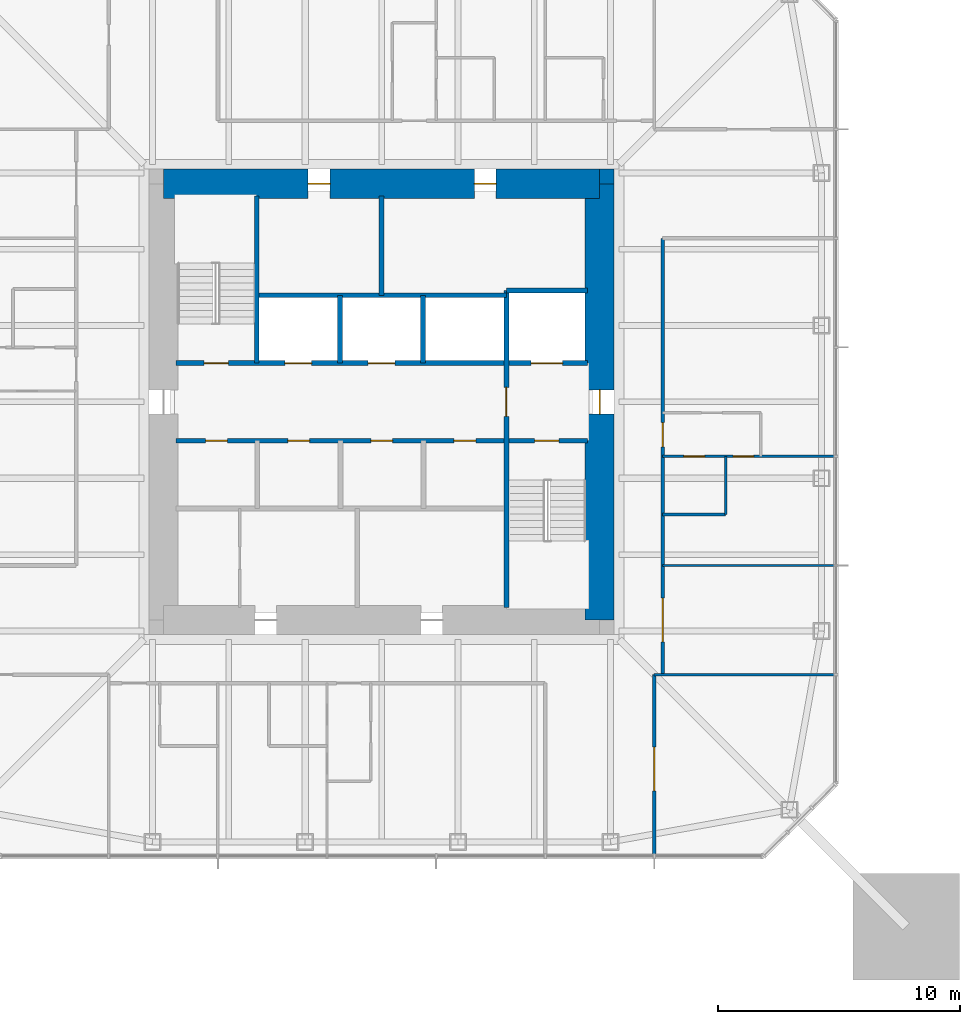
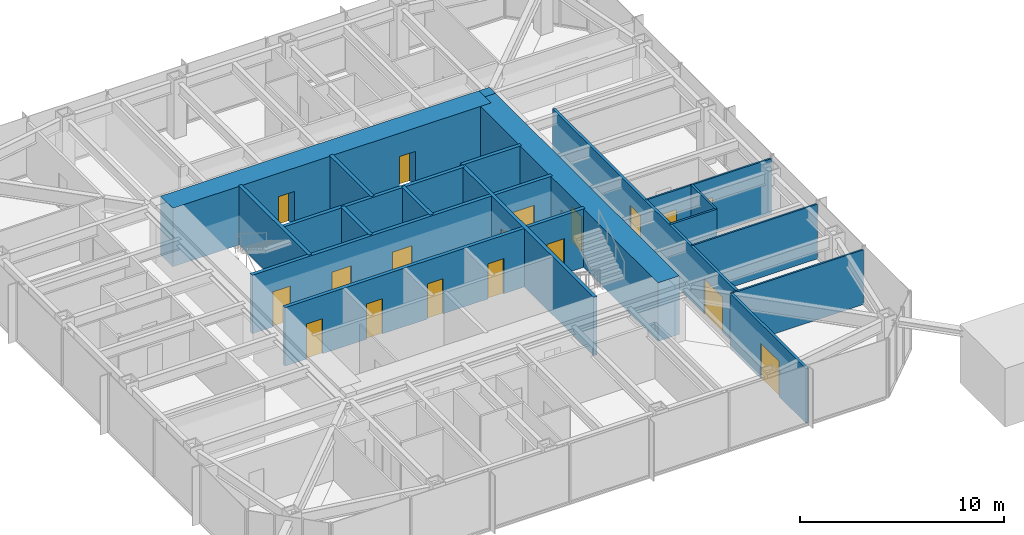
# One storey, part 7 of 11: 19 walls, 18 doors, 18 openings.
"""IFC4 building model written with IfcOpenShell, lengths in metres."""

from ifc_helpers import new_model, si_unit, direction, frame, frame_2d, origin, place, context, subcontext, project, spatial, rectangle, extrude, material, layer, layer_set, type_object, element, fill, save


model = new_model("IFC4")

# Units and contexts
model_context = context("Model", 3, precision=1e-05, world=origin(), true_north=direction((0.0, 1.0)))
body_context = subcontext(model_context, "Body", "Model", "MODEL_VIEW")
ifc_project = project(units=[si_unit("LENGTHUNIT", "METRE"), si_unit("AREAUNIT", "SQUARE_METRE"), si_unit("VOLUMEUNIT", "CUBIC_METRE"), si_unit("PLANEANGLEUNIT", "RADIAN"), si_unit("MASSUNIT", "GRAM", prefix="KILO")], contexts=[model_context])

# Site, building, storey
site_placement = place(None, origin())
site = spatial("IfcSite", under=ifc_project, at=site_placement, CompositionType="ELEMENT")
building_placement = place(site_placement, origin())
building = spatial("IfcBuilding", under=site, at=building_placement, Name="Iwan Alto Co-Living Towers", CompositionType="ELEMENT")
storey_placement = place(building_placement, frame((0.0, 0.0, 188.0)))
storey = spatial("IfcBuildingStorey", under=building, at=storey_placement, Name="L51", CompositionType="ELEMENT", Elevation=188.0)

# Wall, openings, doors
ifc_material_1 = material(Name="Gypsum board")
ifc_layer_1 = layer(ifc_material_1, 0.02490234375, Name="Board", Category="Finish")
ifc_material_2 = material(Name="Steel ASTM A1003 ST33H cold-formed studs", Category="steel")
ifc_layer_2 = layer(ifc_material_2, 0.10009765625, Name="Studs", Category="Framing")
ifc_layer_3 = layer(ifc_material_1, 0.02490234375, Name="Board", Category="Finish")
ifc_layer_set_1 = layer_set([ifc_layer_1, ifc_layer_2, ifc_layer_3], Name="CORRIDOR WALL 150")
wall_type_1 = type_object("IfcWallType", Name="CORRIDOR WALL 150", PredefinedType="PARTITIONING", material=ifc_layer_set_1)
wall_1_placement = place(storey_placement, frame((11.60009765625, -11.25, 0.0), z_axis=(0.0, 0.0, 1.0), x_axis=(0.0, 1.0, 0.0)))
wall_1 = element("IfcWall", 1, at=wall_1_placement, inside=storey, type_object=wall_type_1, Name="Partition L51", PredefinedType="PARTITIONING", context=body_context, shape_type="SweptSolid", body=[
    extrude(rectangle(XDim=18.0, YDim=0.14990234375, at=frame_2d((9.0, 0.0))), origin(), (0.0, 0.0, 1.0), 3.27001953125),
])
opening_1_placement = place(wall_1_placement, frame((1.35009765625, 0.0, 0.0)))
opening_1 = element("IfcOpeningElement", 2, at=opening_1_placement, cuts=wall_1, Name="Opening D9", PredefinedType="OPENING", context=body_context, shape_type="SweptSolid", body=[
    extrude(rectangle(XDim=1.800048828125, YDim=2.10009765625, at=frame_2d((0.89990234375, 1.050048828125))), frame((0.0, 0.0849609375, 0.0), z_axis=(0.0, -1.0, 0.0), x_axis=(1.0, 0.0, 0.0)), (0.0, 0.0, 1.0), 0.169921875),
])
opening_2_placement = place(wall_1_placement, frame((9.39990234375, 0.0, 0.0)))
opening_2 = element("IfcOpeningElement", 3, at=opening_2_placement, cuts=wall_1, Name="Opening D3", PredefinedType="OPENING", context=body_context, shape_type="SweptSolid", body=[
    extrude(rectangle(XDim=1.0, YDim=2.10009765625, at=frame_2d((0.5, 1.050048828125))), frame((0.0, 0.0849609375, 0.0), z_axis=(0.0, -1.0, 0.0), x_axis=(1.0, 0.0, 0.0)), (0.0, 0.0, 1.0), 0.169921875),
])
ifc_material_3 = material(Name="Steel frame with timber leaf", Category="steel")
door_type_1 = type_object("IfcDoorType", Name="FLAT ENTRANCE DOOR FD30S 1000X2100", OperationType="SINGLE_SWING_LEFT", PredefinedType="DOOR", material=ifc_material_3)
door_1_placement = place(opening_2_placement, frame((1.0, 0.0, 0.0), z_axis=(0.0, 0.0, 1.0), x_axis=(-1.0, 0.0, 0.0)))
door_1 = element("IfcDoor", 4, at=door_1_placement, inside=storey, type_object=door_type_1, Name="Apartment foyer door L51", OperationType="SINGLE_SWING_RIGHT", OverallHeight=2.10009765625, OverallWidth=1.0, PredefinedType="DOOR", context=body_context, shape_type="SweptSolid", body=[
    extrude(rectangle(XDim=1.0, YDim=2.10009765625, at=frame_2d((0.5, 1.050048828125))), frame((0.0, 0.02490234375, 0.0), z_axis=(0.0, -1.0, 0.0), x_axis=(1.0, 0.0, 0.0)), (0.0, 0.0, 1.0), 0.050048828125),
])
fill(opening_2, door_1)
ifc_material_4 = material(Name="Steel frame with timber leaf", Category="steel")
door_type_2 = type_object("IfcDoorType", Name="LOUNGE DOOR FD30S 1800X2100", OperationType="DOUBLE_DOOR_SINGLE_SWING", PredefinedType="DOOR", material=ifc_material_4)
door_2_placement = place(opening_1_placement, frame((1.800048828125, 0.0, 0.0), z_axis=(0.0, 0.0, 1.0), x_axis=(-1.0, 0.0, 0.0)))
door_2 = element("IfcDoor", 5, at=door_2_placement, inside=storey, type_object=door_type_2, Name="Games room door L51", OperationType="DOUBLE_DOOR_SINGLE_SWING", OverallHeight=2.10009765625, OverallWidth=1.800048828125, PredefinedType="DOOR", context=body_context, shape_type="SweptSolid", body=[
    extrude(rectangle(XDim=1.800048828125, YDim=2.10009765625, at=frame_2d((0.89990234375, 1.050048828125))), frame((0.0, 0.02490234375, 0.0), z_axis=(0.0, -1.0, 0.0), x_axis=(1.0, 0.0, 0.0)), (0.0, 0.0, 1.0), 0.050048828125),
])
fill(opening_1, door_2)

# Wall, opening, door
wall_2_placement = place(storey_placement, frame((11.25, -18.68994140625, 0.0), z_axis=(0.0, 0.0, 1.0), x_axis=(0.0, 1.0, 0.0)))
wall_2 = element("IfcWall", 6, at=wall_2_placement, inside=storey, type_object=wall_type_1, Name="Partition L51", PredefinedType="PARTITIONING", context=body_context, shape_type="SweptSolid", body=[
    extrude(rectangle(XDim=7.43994140625, YDim=0.14990234375, at=frame_2d((3.719970703125, 0.0))), origin(), (0.0, 0.0, 1.0), 3.27001953125),
])
opening_3_placement = place(wall_2_placement, frame((2.64501953125, 0.0, 0.0)))
opening_3 = element("IfcOpeningElement", 7, at=opening_3_placement, cuts=wall_2, Name="Opening D9", PredefinedType="OPENING", context=body_context, shape_type="SweptSolid", body=[
    extrude(rectangle(XDim=1.800048828125, YDim=2.10009765625, at=frame_2d((0.89990234375, 1.050048828125))), frame((0.0, 0.0849609375, 0.0), z_axis=(0.0, -1.0, 0.0), x_axis=(1.0, 0.0, 0.0)), (0.0, 0.0, 1.0), 0.169921875),
])
door_3_placement = place(opening_3_placement, frame((1.800048828125, 0.0, 0.0), z_axis=(0.0, 0.0, 1.0), x_axis=(-1.0, 0.0, 0.0)))
door_3 = element("IfcDoor", 8, at=door_3_placement, inside=storey, type_object=door_type_2, Name="Courtyard lounge door L51", OperationType="DOUBLE_DOOR_SINGLE_SWING", OverallHeight=2.10009765625, OverallWidth=1.800048828125, PredefinedType="DOOR", context=body_context, shape_type="SweptSolid", body=[
    extrude(rectangle(XDim=1.800048828125, YDim=2.10009765625, at=frame_2d((0.89990234375, 1.050048828125))), frame((0.0, 0.02490234375, 0.0), z_axis=(0.0, -1.0, 0.0), x_axis=(1.0, 0.0, 0.0)), (0.0, 0.0, 1.0), 0.050048828125),
])
fill(opening_3, door_3)

# Walls
ifc_layer_4 = layer(ifc_material_1, 0.012451171875, Name="Board", Category="Finish")
ifc_layer_5 = layer(ifc_material_2, 0.074951171875, Name="Studs", Category="Framing")
ifc_layer_6 = layer(ifc_material_1, 0.012451171875, Name="Board", Category="Finish")
ifc_layer_set_2 = layer_set([ifc_layer_4, ifc_layer_5, ifc_layer_6], Name="PARTITION 100")
wall_type_2 = type_object("IfcWallType", Name="PARTITION 100", PredefinedType="PARTITIONING", material=ifc_layer_set_2)
wall_3_placement = place(storey_placement, frame((11.25, -11.25, 0.0), z_axis=(0.0, 0.0, 1.0), x_axis=(1.0, 0.0, 0.0)))
element("IfcWall", 9, at=wall_3_placement, inside=storey, type_object=wall_type_2, Name="Partition L51", PredefinedType="PARTITIONING", context=body_context, shape_type="SweptSolid", body=[
    extrude(rectangle(XDim=7.43994140625, YDim=0.10009765625, at=frame_2d((3.719970703125, 0.0))), origin(), (0.0, 0.0, 1.0), 3.27001953125),
])
wall_4_placement = place(storey_placement, frame((11.60009765625, -6.75, 0.0), z_axis=(0.0, 0.0, 1.0), x_axis=(1.0, 0.0, 0.0)))
element("IfcWall", 10, at=wall_4_placement, inside=storey, type_object=wall_type_2, Name="Partition L51", PredefinedType="PARTITIONING", context=body_context, shape_type="SweptSolid", body=[
    extrude(rectangle(XDim=7.08984375, YDim=0.10009765625, at=frame_2d((3.544921875, 0.0))), origin(), (0.0, 0.0, 1.0), 3.27001953125),
])

# Wall, openings, doors
wall_5_placement = place(storey_placement, frame((11.60009765625, -2.25, 0.0), z_axis=(0.0, 0.0, 1.0), x_axis=(1.0, 0.0, 0.0)))
wall_5 = element("IfcWall", 11, at=wall_5_placement, inside=storey, type_object=wall_type_2, Name="Partition L51", PredefinedType="PARTITIONING", context=body_context, shape_type="SweptSolid", body=[
    extrude(rectangle(XDim=7.08984375, YDim=0.10009765625, at=frame_2d((3.544921875, 0.0))), origin(), (0.0, 0.0, 1.0), 3.27001953125),
])
opening_4_placement = place(wall_5_placement, frame((2.89990234375, 0.0, 0.0)))
opening_4 = element("IfcOpeningElement", 12, at=opening_4_placement, cuts=wall_5, Name="Opening D2", PredefinedType="OPENING", context=body_context, shape_type="SweptSolid", body=[
    extrude(rectangle(XDim=0.85009765625, YDim=2.10009765625, at=frame_2d((0.425048828125, 1.050048828125))), frame((0.0, 0.06005859375, 0.0), z_axis=(0.0, -1.0, 0.0), x_axis=(1.0, 0.0, 0.0)), (0.0, 0.0, 1.0), 0.1201171875),
])
opening_5_placement = place(wall_5_placement, frame((0.875, 0.0, 0.0)))
opening_5 = element("IfcOpeningElement", 13, at=opening_5_placement, cuts=wall_5, Name="Opening D2", PredefinedType="OPENING", context=body_context, shape_type="SweptSolid", body=[
    extrude(rectangle(XDim=0.85009765625, YDim=2.10009765625, at=frame_2d((0.425048828125, 1.050048828125))), frame((0.0, 0.06005859375, 0.0), z_axis=(0.0, -1.0, 0.0), x_axis=(1.0, 0.0, 0.0)), (0.0, 0.0, 1.0), 0.1201171875),
])
ifc_material_5 = material(Name="Timber leaf in steel frame", Category="steel")
door_type_3 = type_object("IfcDoorType", Name="ROOM DOOR 850X2100", OperationType="SINGLE_SWING_LEFT", PredefinedType="DOOR", material=ifc_material_5)
door_4_placement = place(opening_4_placement, frame((0.85009765625, 0.0, 0.0), z_axis=(0.0, 0.0, 1.0), x_axis=(-1.0, 0.0, 0.0)))
door_4 = element("IfcDoor", 14, at=door_4_placement, inside=storey, type_object=door_type_3, Name="Bedroom door L51", OperationType="SINGLE_SWING_RIGHT", OverallHeight=2.10009765625, OverallWidth=0.85009765625, PredefinedType="DOOR", context=body_context, shape_type="SweptSolid", body=[
    extrude(rectangle(XDim=0.85009765625, YDim=2.10009765625, at=frame_2d((0.425048828125, 1.050048828125))), frame((0.0, 0.02490234375, 0.0), z_axis=(0.0, -1.0, 0.0), x_axis=(1.0, 0.0, 0.0)), (0.0, 0.0, 1.0), 0.050048828125),
])
fill(opening_4, door_4)
door_5_placement = place(opening_5_placement, frame((0.85009765625, 0.0, 0.0), z_axis=(0.0, 0.0, 1.0), x_axis=(-1.0, 0.0, 0.0)))
door_5 = element("IfcDoor", 15, at=door_5_placement, inside=storey, type_object=door_type_3, Name="Bathroom door L51", OperationType="SINGLE_SWING_RIGHT", OverallHeight=2.10009765625, OverallWidth=0.85009765625, PredefinedType="DOOR", context=body_context, shape_type="SweptSolid", body=[
    extrude(rectangle(XDim=0.85009765625, YDim=2.10009765625, at=frame_2d((0.425048828125, 1.050048828125))), frame((0.0, 0.02490234375, 0.0), z_axis=(0.0, -1.0, 0.0), x_axis=(1.0, 0.0, 0.0)), (0.0, 0.0, 1.0), 0.050048828125),
])
fill(opening_5, door_5)

ifc_material_6 = material(Name="Concrete f'c 70 MPa", Category="concrete")
ifc_layer_7 = layer(ifc_material_6, 0.199951171875)
ifc_layer_set_3 = layer_set([ifc_layer_7], Name="SHAFT WALL 200")
wall_type_3 = type_object("IfcWallType", Name="SHAFT WALL 200", PredefinedType="SOLIDWALL", material=ifc_layer_set_3)
wall_6_placement = place(storey_placement, frame((-8.489990234375, -1.60009765625, 0.0), z_axis=(0.0, 0.0, 1.0), x_axis=(1.0, 0.0, 0.0)))
wall_6 = element("IfcWall", 16, at=wall_6_placement, inside=storey, type_object=wall_type_3, Name="Shaft wall L51", PredefinedType="SOLIDWALL", context=body_context, shape_type="SweptSolid", body=[
    extrude(rectangle(XDim=16.97998046875, YDim=0.199951171875, at=frame_2d((8.489990234375, 0.0))), origin(), (0.0, 0.0, 1.0), 3.5),
])
opening_6_placement = place(wall_6_placement, frame((14.81005859375, 0.0, 0.0)))
opening_6 = element("IfcOpeningElement", 17, at=opening_6_placement, cuts=wall_6, Name="Opening D5", PredefinedType="OPENING", context=body_context, shape_type="SweptSolid", body=[
    extrude(rectangle(XDim=1.0, YDim=2.10009765625, at=frame_2d((0.5, 1.050048828125))), frame((0.0, 0.10986328125, 0.0), z_axis=(0.0, -1.0, 0.0), x_axis=(1.0, 0.0, 0.0)), (0.0, 0.0, 1.0), 0.219970703125),
])
opening_7_placement = place(wall_6_placement, frame((1.23193359375, 0.0, 0.0)))
opening_7 = element("IfcOpeningElement", 18, at=opening_7_placement, cuts=wall_6, Name="Opening D15", PredefinedType="OPENING", context=body_context, shape_type="SweptSolid", body=[
    extrude(rectangle(XDim=0.89990234375, YDim=2.10009765625, at=frame_2d((0.449951171875, 1.050048828125))), frame((0.0, 0.10986328125, 0.0), z_axis=(0.0, -1.0, 0.0), x_axis=(1.0, 0.0, 0.0)), (0.0, 0.0, 1.0), 0.219970703125),
])
opening_8_placement = place(wall_6_placement, frame((4.626953125, 0.0, 0.0)))
opening_8 = element("IfcOpeningElement", 19, at=opening_8_placement, cuts=wall_6, Name="Opening D15", PredefinedType="OPENING", context=body_context, shape_type="SweptSolid", body=[
    extrude(rectangle(XDim=0.89990234375, YDim=2.10009765625, at=frame_2d((0.449951171875, 1.050048828125))), frame((0.0, 0.10986328125, 0.0), z_axis=(0.0, -1.0, 0.0), x_axis=(1.0, 0.0, 0.0)), (0.0, 0.0, 1.0), 0.219970703125),
])
opening_9_placement = place(wall_6_placement, frame((8.052001953125, 0.0, 0.0)))
opening_9 = element("IfcOpeningElement", 20, at=opening_9_placement, cuts=wall_6, Name="Opening D15", PredefinedType="OPENING", context=body_context, shape_type="SweptSolid", body=[
    extrude(rectangle(XDim=0.89990234375, YDim=2.10009765625, at=frame_2d((0.449951171875, 1.050048828125))), frame((0.0, 0.10986328125, 0.0), z_axis=(0.0, -1.0, 0.0), x_axis=(1.0, 0.0, 0.0)), (0.0, 0.0, 1.0), 0.219970703125),
])
opening_10_placement = place(wall_6_placement, frame((11.47802734375, 0.0, 0.0)))
opening_10 = element("IfcOpeningElement", 21, at=opening_10_placement, cuts=wall_6, Name="Opening D15", PredefinedType="OPENING", context=body_context, shape_type="SweptSolid", body=[
    extrude(rectangle(XDim=0.89990234375, YDim=2.10009765625, at=frame_2d((0.449951171875, 1.050048828125))), frame((0.0, 0.10986328125, 0.0), z_axis=(0.0, -1.0, 0.0), x_axis=(1.0, 0.0, 0.0)), (0.0, 0.0, 1.0), 0.219970703125),
])
ifc_material_7 = material(Name="Steel frame with timber leaf", Category="steel")
door_type_4 = type_object("IfcDoorType", Name="CORE ROOM DOOR FD60S 900X2100", OperationType="SINGLE_SWING_LEFT", PredefinedType="DOOR", material=ifc_material_7)
door_6_placement = place(opening_7_placement, frame((0.89990234375, 0.0, 0.0), z_axis=(0.0, 0.0, 1.0), x_axis=(-1.0, 0.0, 0.0)))
door_6 = element("IfcDoor", 22, at=door_6_placement, inside=storey, type_object=door_type_4, Name="Guest pantry door L51", OperationType="SINGLE_SWING_LEFT", OverallHeight=2.10009765625, OverallWidth=0.89990234375, PredefinedType="DOOR", context=body_context, shape_type="SweptSolid", body=[
    extrude(rectangle(XDim=0.89990234375, YDim=2.10009765625, at=frame_2d((0.449951171875, 1.050048828125))), frame((0.0, 0.02490234375, 0.0), z_axis=(0.0, -1.0, 0.0), x_axis=(1.0, 0.0, 0.0)), (0.0, 0.0, 1.0), 0.050048828125),
])
fill(opening_7, door_6)
door_7_placement = place(opening_8_placement, frame((0.89990234375, 0.0, 0.0), z_axis=(0.0, 0.0, 1.0), x_axis=(-1.0, 0.0, 0.0)))
door_7 = element("IfcDoor", 23, at=door_7_placement, inside=storey, type_object=door_type_4, Name="Linen store door L51", OperationType="SINGLE_SWING_RIGHT", OverallHeight=2.10009765625, OverallWidth=0.89990234375, PredefinedType="DOOR", context=body_context, shape_type="SweptSolid", body=[
    extrude(rectangle(XDim=0.89990234375, YDim=2.10009765625, at=frame_2d((0.449951171875, 1.050048828125))), frame((0.0, 0.02490234375, 0.0), z_axis=(0.0, -1.0, 0.0), x_axis=(1.0, 0.0, 0.0)), (0.0, 0.0, 1.0), 0.050048828125),
])
fill(opening_8, door_7)
door_8_placement = place(opening_9_placement, frame((0.89990234375, 0.0, 0.0), z_axis=(0.0, 0.0, 1.0), x_axis=(-1.0, 0.0, 0.0)))
door_8 = element("IfcDoor", 24, at=door_8_placement, inside=storey, type_object=door_type_4, Name="Linen and housekeeping store door L51", OperationType="SINGLE_SWING_RIGHT", OverallHeight=2.10009765625, OverallWidth=0.89990234375, PredefinedType="DOOR", context=body_context, shape_type="SweptSolid", body=[
    extrude(rectangle(XDim=0.89990234375, YDim=2.10009765625, at=frame_2d((0.449951171875, 1.050048828125))), frame((0.0, 0.02490234375, 0.0), z_axis=(0.0, -1.0, 0.0), x_axis=(1.0, 0.0, 0.0)), (0.0, 0.0, 1.0), 0.050048828125),
])
fill(opening_9, door_8)
door_9_placement = place(opening_10_placement, frame((0.89990234375, 0.0, 0.0), z_axis=(0.0, 0.0, 1.0), x_axis=(-1.0, 0.0, 0.0)))
door_9 = element("IfcDoor", 25, at=door_9_placement, inside=storey, type_object=door_type_4, Name="Housekeeping store door L51", OperationType="SINGLE_SWING_RIGHT", OverallHeight=2.10009765625, OverallWidth=0.89990234375, PredefinedType="DOOR", context=body_context, shape_type="SweptSolid", body=[
    extrude(rectangle(XDim=0.89990234375, YDim=2.10009765625, at=frame_2d((0.449951171875, 1.050048828125))), frame((0.0, 0.02490234375, 0.0), z_axis=(0.0, -1.0, 0.0), x_axis=(1.0, 0.0, 0.0)), (0.0, 0.0, 1.0), 0.050048828125),
])
fill(opening_10, door_9)
ifc_material_8 = material(Name="Steel frame with timber leaf", Category="steel")
door_type_5 = type_object("IfcDoorType", Name="STAIR DOOR FD120S 1000X2100", OperationType="SINGLE_SWING_LEFT", PredefinedType="DOOR", material=ifc_material_8)
door_10_placement = place(opening_6_placement, frame((1.0, 0.0, 0.0), z_axis=(0.0, 0.0, 1.0), x_axis=(-1.0, 0.0, 0.0)))
door_10 = element("IfcDoor", 26, at=door_10_placement, inside=storey, type_object=door_type_5, Name="Stair S2 door L51", OperationType="SINGLE_SWING_RIGHT", OverallHeight=2.10009765625, OverallWidth=1.0, PredefinedType="DOOR", context=body_context, shape_type="SweptSolid", body=[
    extrude(rectangle(XDim=1.0, YDim=2.10009765625, at=frame_2d((0.5, 1.050048828125))), frame((0.0, 0.02490234375, 0.0), z_axis=(0.0, -1.0, 0.0), x_axis=(1.0, 0.0, 0.0)), (0.0, 0.0, 1.0), 0.050048828125),
])
fill(opening_6, door_10)

wall_7_placement = place(storey_placement, frame((-8.489990234375, 1.60009765625, 0.0), z_axis=(0.0, 0.0, 1.0), x_axis=(1.0, 0.0, 0.0)))
wall_7 = element("IfcWall", 27, at=wall_7_placement, inside=storey, type_object=wall_type_3, Name="Shaft wall L51", PredefinedType="SOLIDWALL", context=body_context, shape_type="SweptSolid", body=[
    extrude(rectangle(XDim=16.97998046875, YDim=0.199951171875, at=frame_2d((8.489990234375, 0.0))), origin(), (0.0, 0.0, 1.0), 3.5),
])
opening_11_placement = place(wall_7_placement, frame((1.169921875, 0.0, 0.0)))
opening_11 = element("IfcOpeningElement", 28, at=opening_11_placement, cuts=wall_7, Name="Opening D5", PredefinedType="OPENING", context=body_context, shape_type="SweptSolid", body=[
    extrude(rectangle(XDim=1.0, YDim=2.10009765625, at=frame_2d((0.5, 1.050048828125))), frame((0.0, 0.10986328125, 0.0), z_axis=(0.0, -1.0, 0.0), x_axis=(1.0, 0.0, 0.0)), (0.0, 0.0, 1.0), 0.219970703125),
])
opening_12_placement = place(wall_7_placement, frame((4.506103515625, 0.0, 0.0)))
opening_12 = element("IfcOpeningElement", 29, at=opening_12_placement, cuts=wall_7, Name="Opening LD", PredefinedType="OPENING", context=body_context, shape_type="SweptSolid", body=[
    extrude(rectangle(XDim=1.10009765625, YDim=2.10009765625, at=frame_2d((0.550048828125, 1.050048828125))), frame((0.0, 0.10986328125, 0.0), z_axis=(0.0, -1.0, 0.0), x_axis=(1.0, 0.0, 0.0)), (0.0, 0.0, 1.0), 0.219970703125),
])
opening_13_placement = place(wall_7_placement, frame((7.93994140625, 0.0, 0.0)))
opening_13 = element("IfcOpeningElement", 30, at=opening_13_placement, cuts=wall_7, Name="Opening LD", PredefinedType="OPENING", context=body_context, shape_type="SweptSolid", body=[
    extrude(rectangle(XDim=1.10009765625, YDim=2.10009765625, at=frame_2d((0.550048828125, 1.050048828125))), frame((0.0, 0.10986328125, 0.0), z_axis=(0.0, -1.0, 0.0), x_axis=(1.0, 0.0, 0.0)), (0.0, 0.0, 1.0), 0.219970703125),
])
opening_14_placement = place(wall_7_placement, frame((14.659912109375, 0.0, 0.0)))
opening_14 = element("IfcOpeningElement", 31, at=opening_14_placement, cuts=wall_7, Name="Opening LD2", PredefinedType="OPENING", context=body_context, shape_type="SweptSolid", body=[
    extrude(rectangle(XDim=1.300048828125, YDim=2.10009765625, at=frame_2d((0.64990234375, 1.050048828125))), frame((0.0, 0.10986328125, 0.0), z_axis=(0.0, -1.0, 0.0), x_axis=(1.0, 0.0, 0.0)), (0.0, 0.0, 1.0), 0.219970703125),
])
ifc_material_9 = material(Name="Steel frame with timber leaf", Category="steel")
door_type_6 = type_object("IfcDoorType", Name="LIFT LANDING DOOR 1100X2100", OperationType="DOUBLE_DOOR_SLIDING", PredefinedType="DOOR", material=ifc_material_9)
door_11_placement = place(opening_12_placement, origin())
door_11 = element("IfcDoor", 32, at=door_11_placement, inside=storey, type_object=door_type_6, Name="Lift P3-1 landing door L51", OperationType="DOUBLE_DOOR_SLIDING", OverallHeight=2.10009765625, OverallWidth=1.10009765625, PredefinedType="DOOR", context=body_context, shape_type="SweptSolid", body=[
    extrude(rectangle(XDim=1.10009765625, YDim=2.10009765625, at=frame_2d((0.550048828125, 1.050048828125))), frame((0.0, 0.02490234375, 0.0), z_axis=(0.0, -1.0, 0.0), x_axis=(1.0, 0.0, 0.0)), (0.0, 0.0, 1.0), 0.050048828125),
])
fill(opening_12, door_11)
door_12_placement = place(opening_13_placement, origin())
door_12 = element("IfcDoor", 33, at=door_12_placement, inside=storey, type_object=door_type_6, Name="Lift P3-2 landing door L51", OperationType="DOUBLE_DOOR_SLIDING", OverallHeight=2.10009765625, OverallWidth=1.10009765625, PredefinedType="DOOR", context=body_context, shape_type="SweptSolid", body=[
    extrude(rectangle(XDim=1.10009765625, YDim=2.10009765625, at=frame_2d((0.550048828125, 1.050048828125))), frame((0.0, 0.02490234375, 0.0), z_axis=(0.0, -1.0, 0.0), x_axis=(1.0, 0.0, 0.0)), (0.0, 0.0, 1.0), 0.050048828125),
])
fill(opening_13, door_12)
ifc_material_10 = material(Name="Steel frame with timber leaf", Category="steel")
door_type_7 = type_object("IfcDoorType", Name="LIFT LANDING DOOR 1300X2100", OperationType="SLIDING_TO_LEFT", PredefinedType="DOOR", material=ifc_material_10)
door_13_placement = place(opening_14_placement, origin())
door_13 = element("IfcDoor", 34, at=door_13_placement, inside=storey, type_object=door_type_7, Name="Lift FL1 landing door L51", OperationType="SLIDING_TO_LEFT", OverallHeight=2.10009765625, OverallWidth=1.300048828125, PredefinedType="DOOR", context=body_context, shape_type="SweptSolid", body=[
    extrude(rectangle(XDim=1.300048828125, YDim=2.10009765625, at=frame_2d((0.64990234375, 1.050048828125))), frame((0.0, 0.02490234375, 0.0), z_axis=(0.0, -1.0, 0.0), x_axis=(1.0, 0.0, 0.0)), (0.0, 0.0, 1.0), 0.050048828125),
])
fill(opening_14, door_13)
door_14_placement = place(opening_11_placement, origin())
door_14 = element("IfcDoor", 35, at=door_14_placement, inside=storey, type_object=door_type_5, Name="Stair S1 door L51", OperationType="SINGLE_SWING_RIGHT", OverallHeight=2.10009765625, OverallWidth=1.0, PredefinedType="DOOR", context=body_context, shape_type="SweptSolid", body=[
    extrude(rectangle(XDim=1.0, YDim=2.10009765625, at=frame_2d((0.5, 1.050048828125))), frame((0.0, 0.02490234375, 0.0), z_axis=(0.0, -1.0, 0.0), x_axis=(1.0, 0.0, 0.0)), (0.0, 0.0, 1.0), 0.050048828125),
])
fill(opening_11, door_14)

# Walls
wall_8_placement = place(storey_placement, frame((-5.14990234375, 4.39990234375, 0.0), z_axis=(0.0, 0.0, 1.0), x_axis=(1.0, 0.0, 0.0)))
element("IfcWall", 36, at=wall_8_placement, inside=storey, type_object=wall_type_3, Name="Shaft wall L51", PredefinedType="SOLIDWALL", context=body_context, shape_type="SweptSolid", body=[
    extrude(rectangle(XDim=10.2998046875, YDim=0.199951171875, at=frame_2d((5.14990234375, 0.0))), origin(), (0.0, 0.0, 1.0), 3.5),
])
wall_9_placement = place(storey_placement, frame((5.14990234375, 4.60009765625, 0.0), z_axis=(0.0, 0.0, 1.0), x_axis=(1.0, 0.0, 0.0)))
element("IfcWall", 37, at=wall_9_placement, inside=storey, type_object=wall_type_3, Name="Shaft wall L51", PredefinedType="SOLIDWALL", context=body_context, shape_type="SweptSolid", body=[
    extrude(rectangle(XDim=3.340087890625, YDim=0.199951171875, at=frame_2d((1.669921875, 0.0))), origin(), (0.0, 0.0, 1.0), 3.5),
])

# Wall, opening, door
wall_10_placement = place(storey_placement, frame((5.14990234375, -8.489990234375, 0.0), z_axis=(0.0, 0.0, 1.0), x_axis=(0.0, 1.0, 0.0)))
wall_10 = element("IfcWall", 38, at=wall_10_placement, inside=storey, type_object=wall_type_3, Name="Shaft wall L51", PredefinedType="SOLIDWALL", context=body_context, shape_type="SweptSolid", body=[
    extrude(rectangle(XDim=13.090087890625, YDim=0.199951171875, at=frame_2d((6.544921875, 0.0))), origin(), (0.0, 0.0, 1.0), 3.5),
])
opening_15_placement = place(wall_10_placement, frame((7.889892578125, 0.0, 0.0)))
opening_15 = element("IfcOpeningElement", 39, at=opening_15_placement, cuts=wall_10, Name="Opening D6", PredefinedType="OPENING", context=body_context, shape_type="SweptSolid", body=[
    extrude(rectangle(XDim=1.199951171875, YDim=2.10009765625, at=frame_2d((0.60009765625, 1.050048828125))), frame((0.0, 0.10986328125, 0.0), z_axis=(0.0, -1.0, 0.0), x_axis=(1.0, 0.0, 0.0)), (0.0, 0.0, 1.0), 0.219970703125),
])
ifc_material_11 = material(Name="Steel frame with timber leaf", Category="steel")
door_type_8 = type_object("IfcDoorType", Name="LOBBY DOOR FD120S 1200X2100", OperationType="SINGLE_SWING_LEFT", PredefinedType="DOOR", material=ifc_material_11)
door_15_placement = place(opening_15_placement, frame((1.199951171875, 0.0, 0.0), z_axis=(0.0, 0.0, 1.0), x_axis=(-1.0, 0.0, 0.0)))
door_15 = element("IfcDoor", 40, at=door_15_placement, inside=storey, type_object=door_type_8, Name="Firefighting lobby door L51", OperationType="SINGLE_SWING_RIGHT", OverallHeight=2.10009765625, OverallWidth=1.199951171875, PredefinedType="DOOR", context=body_context, shape_type="SweptSolid", body=[
    extrude(rectangle(XDim=1.199951171875, YDim=2.10009765625, at=frame_2d((0.60009765625, 1.050048828125))), frame((0.0, 0.02490234375, 0.0), z_axis=(0.0, -1.0, 0.0), x_axis=(1.0, 0.0, 0.0)), (0.0, 0.0, 1.0), 0.050048828125),
])
fill(opening_15, door_15)

# Walls
wall_11_placement = place(storey_placement, frame((1.717041015625, 1.60009765625, 0.0), z_axis=(0.0, 0.0, 1.0), x_axis=(0.0, 1.0, 0.0)))
element("IfcWall", 41, at=wall_11_placement, inside=storey, type_object=wall_type_3, Name="Shaft wall L51", PredefinedType="SOLIDWALL", context=body_context, shape_type="SweptSolid", body=[
    extrude(rectangle(XDim=2.7998046875, YDim=0.199951171875, at=frame_2d((1.39990234375, 0.0))), origin(), (0.0, 0.0, 1.0), 3.5),
])
wall_12_placement = place(storey_placement, frame((0.0, 4.39990234375, 0.0), z_axis=(0.0, 0.0, 1.0), x_axis=(0.0, 1.0, 0.0)))
element("IfcWall", 42, at=wall_12_placement, inside=storey, type_object=wall_type_3, Name="Shaft wall L51", PredefinedType="SOLIDWALL", context=body_context, shape_type="SweptSolid", body=[
    extrude(rectangle(XDim=4.090087890625, YDim=0.199951171875, at=frame_2d((2.044921875, 0.0))), origin(), (0.0, 0.0, 1.0), 3.5),
])
wall_13_placement = place(storey_placement, frame((-1.717041015625, 1.60009765625, 0.0), z_axis=(0.0, 0.0, 1.0), x_axis=(0.0, 1.0, 0.0)))
element("IfcWall", 43, at=wall_13_placement, inside=storey, type_object=wall_type_3, Name="Shaft wall L51", PredefinedType="SOLIDWALL", context=body_context, shape_type="SweptSolid", body=[
    extrude(rectangle(XDim=2.7998046875, YDim=0.199951171875, at=frame_2d((1.39990234375, 0.0))), origin(), (0.0, 0.0, 1.0), 3.5),
])
wall_14_placement = place(storey_placement, frame((-5.14990234375, 1.60009765625, 0.0), z_axis=(0.0, 0.0, 1.0), x_axis=(0.0, 1.0, 0.0)))
element("IfcWall", 44, at=wall_14_placement, inside=storey, type_object=wall_type_3, Name="Shaft wall L51", PredefinedType="SOLIDWALL", context=body_context, shape_type="SweptSolid", body=[
    extrude(rectangle(XDim=6.889892578125, YDim=0.199951171875, at=frame_2d((3.44482421875, 0.0))), origin(), (0.0, 0.0, 1.0), 3.5),
])
ifc_material_12 = material(Name="Concrete f'c 70 MPa", Category="concrete")
ifc_layer_8 = layer(ifc_material_12, 0.60009765625)
ifc_layer_set_4 = layer_set([ifc_layer_8], Name="T1 CORE CORNER FILL 600")
wall_type_4 = type_object("IfcWallType", Name="T1 CORE CORNER FILL 600", PredefinedType="SOLIDWALL", material=ifc_layer_set_4)
wall_15_placement = place(storey_placement, frame((9.0, 9.300048828125, 0.0), z_axis=(0.0, 0.0, 1.0), x_axis=(1.0, 0.0, 0.0)))
element("IfcWall", 45, at=wall_15_placement, inside=storey, type_object=wall_type_4, Name="T1 core corner NE L51", PredefinedType="SOLIDWALL", context=body_context, shape_type="SweptSolid", body=[
    extrude(rectangle(XDim=0.60009765625, YDim=0.60009765625, at=frame_2d((0.300048828125, 0.0))), origin(), (0.0, 0.0, 1.0), 3.5),
])

# Wall, openings, doors
ifc_material_13 = material(Name="Concrete f'c 70 MPa", Category="concrete")
ifc_layer_9 = layer(ifc_material_13, 1.199951171875)
ifc_layer_set_5 = layer_set([ifc_layer_9], Name="T1 CORE WALL 1200")
wall_type_5 = type_object("IfcWallType", Name="T1 CORE WALL 1200", PredefinedType="SHEAR", material=ifc_layer_set_5)
wall_16_placement = place(storey_placement, frame((9.0, 9.0, 0.0), z_axis=(0.0, 0.0, 1.0), x_axis=(-1.0, 0.0, 0.0)))
wall_16 = element("IfcWall", 46, at=wall_16_placement, inside=storey, type_object=wall_type_5, Name="T1 core wall N L51", PredefinedType="SHEAR", context=body_context, shape_type="SweptSolid", body=[
    extrude(rectangle(XDim=18.0, YDim=1.199951171875, at=frame_2d((9.0, 0.0))), origin(), (0.0, 0.0, 1.0), 3.5),
])
opening_16_placement = place(wall_16_placement, frame((11.125, 0.0, 0.0)))
opening_16 = element("IfcOpeningElement", 47, at=opening_16_placement, cuts=wall_16, Name="Opening D8", PredefinedType="OPENING", context=body_context, shape_type="SweptSolid", body=[
    extrude(rectangle(XDim=0.89990234375, YDim=2.10009765625, at=frame_2d((0.449951171875, 1.050048828125))), frame((0.0, 0.60986328125, 0.0), z_axis=(0.0, -1.0, 0.0), x_axis=(1.0, 0.0, 0.0)), (0.0, 0.0, 1.0), 1.219970703125),
])
opening_17_placement = place(wall_16_placement, frame((4.27490234375, 0.0, 0.0)))
opening_17 = element("IfcOpeningElement", 48, at=opening_17_placement, cuts=wall_16, Name="Opening D8", PredefinedType="OPENING", context=body_context, shape_type="SweptSolid", body=[
    extrude(rectangle(XDim=0.89990234375, YDim=2.10009765625, at=frame_2d((0.449951171875, 1.050048828125))), frame((0.0, 0.60986328125, 0.0), z_axis=(0.0, -1.0, 0.0), x_axis=(1.0, 0.0, 0.0)), (0.0, 0.0, 1.0), 1.219970703125),
])
ifc_material_14 = material(Name="Steel frame with timber leaf", Category="steel")
door_type_9 = type_object("IfcDoorType", Name="RISER DOOR FD120 900X2100", OperationType="SINGLE_SWING_LEFT", PredefinedType="DOOR", material=ifc_material_14)
door_16_placement = place(opening_16_placement, origin())
door_16 = element("IfcDoor", 49, at=door_16_placement, inside=storey, type_object=door_type_9, Name="Electrical riser core door L51", OperationType="SINGLE_SWING_RIGHT", OverallHeight=2.10009765625, OverallWidth=0.89990234375, PredefinedType="DOOR", context=body_context, shape_type="SweptSolid", body=[
    extrude(rectangle(XDim=0.89990234375, YDim=2.10009765625, at=frame_2d((0.449951171875, 1.050048828125))), frame((0.0, 0.02490234375, 0.0), z_axis=(0.0, -1.0, 0.0), x_axis=(1.0, 0.0, 0.0)), (0.0, 0.0, 1.0), 0.050048828125),
])
fill(opening_16, door_16)
door_17_placement = place(opening_17_placement, origin())
door_17 = element("IfcDoor", 50, at=door_17_placement, inside=storey, type_object=door_type_9, Name="Water and drainage riser core door L51", OperationType="SINGLE_SWING_RIGHT", OverallHeight=2.10009765625, OverallWidth=0.89990234375, PredefinedType="DOOR", context=body_context, shape_type="SweptSolid", body=[
    extrude(rectangle(XDim=0.89990234375, YDim=2.10009765625, at=frame_2d((0.449951171875, 1.050048828125))), frame((0.0, 0.02490234375, 0.0), z_axis=(0.0, -1.0, 0.0), x_axis=(1.0, 0.0, 0.0)), (0.0, 0.0, 1.0), 0.050048828125),
])
fill(opening_17, door_17)

# Wall, opening, door
wall_17_placement = place(storey_placement, frame((9.0, -9.0, 0.0), z_axis=(0.0, 0.0, 1.0), x_axis=(0.0, 1.0, 0.0)))
wall_17 = element("IfcWall", 51, at=wall_17_placement, inside=storey, type_object=wall_type_5, Name="T1 core wall E L51", PredefinedType="SHEAR", context=body_context, shape_type="SweptSolid", body=[
    extrude(rectangle(XDim=18.0, YDim=1.199951171875, at=frame_2d((9.0, 0.0))), origin(), (0.0, 0.0, 1.0), 3.5),
])
opening_18_placement = place(wall_17_placement, frame((8.5, 0.0, 0.0)))
opening_18 = element("IfcOpeningElement", 52, at=opening_18_placement, cuts=wall_17, Name="Opening D7", PredefinedType="OPENING", context=body_context, shape_type="SweptSolid", body=[
    extrude(rectangle(XDim=1.0, YDim=2.10009765625, at=frame_2d((0.5, 1.050048828125))), frame((0.0, 0.60986328125, 0.0), z_axis=(0.0, -1.0, 0.0), x_axis=(1.0, 0.0, 0.0)), (0.0, 0.0, 1.0), 1.219970703125),
])
ifc_material_15 = material(Name="Steel frame with timber leaf", Category="steel")
door_type_10 = type_object("IfcDoorType", Name="CORE DOOR FD120S 1000X2100", OperationType="SINGLE_SWING_LEFT", PredefinedType="DOOR", material=ifc_material_15)
door_18_placement = place(opening_18_placement, origin())
door_18 = element("IfcDoor", 53, at=door_18_placement, inside=storey, type_object=door_type_10, Name="Firefighting lobby core door L51", OperationType="SINGLE_SWING_LEFT", OverallHeight=2.10009765625, OverallWidth=1.0, PredefinedType="DOOR", context=body_context, shape_type="SweptSolid", body=[
    extrude(rectangle(XDim=1.0, YDim=2.10009765625, at=frame_2d((0.5, 1.050048828125))), frame((0.0, 0.02490234375, 0.0), z_axis=(0.0, -1.0, 0.0), x_axis=(1.0, 0.0, 0.0)), (0.0, 0.0, 1.0), 0.050048828125),
])
fill(opening_18, door_18)

# Walls
ifc_material_16 = material(Name="Cement board")
ifc_layer_10 = layer(ifc_material_16, 0.012451171875, Name="Board", Category="Finish")
ifc_layer_11 = layer(ifc_material_2, 0.094970703125, Name="Studs", Category="Framing")
ifc_layer_12 = layer(ifc_material_16, 0.012451171875, Name="Board", Category="Finish")
ifc_layer_set_6 = layer_set([ifc_layer_10, ifc_layer_11, ifc_layer_12], Name="WET AREA PARTITION 120")
wall_type_6 = type_object("IfcWallType", Name="WET AREA PARTITION 120", PredefinedType="PARTITIONING", material=ifc_layer_set_6)
wall_18_placement = place(storey_placement, frame((11.60009765625, -4.64990234375, 0.0), z_axis=(0.0, 0.0, 1.0), x_axis=(1.0, 0.0, 0.0)))
element("IfcWall", 54, at=wall_18_placement, inside=storey, type_object=wall_type_6, Name="Partition L51", PredefinedType="PARTITIONING", context=body_context, shape_type="SweptSolid", body=[
    extrude(rectangle(XDim=2.599853515625, YDim=0.1201171875, at=frame_2d((1.2998046875, 0.0))), origin(), (0.0, 0.0, 1.0), 3.27001953125),
])
wall_19_placement = place(storey_placement, frame((14.199951171875, -4.64990234375, 0.0), z_axis=(0.0, 0.0, 1.0), x_axis=(0.0, 1.0, 0.0)))
element("IfcWall", 55, at=wall_19_placement, inside=storey, type_object=wall_type_6, Name="Partition L51", PredefinedType="PARTITIONING", context=body_context, shape_type="SweptSolid", body=[
    extrude(rectangle(XDim=2.39990234375, YDim=0.1201171875, at=frame_2d((1.199951171875, 0.0))), origin(), (0.0, 0.0, 1.0), 3.27001953125),
])

save(model, "model.ifc")
